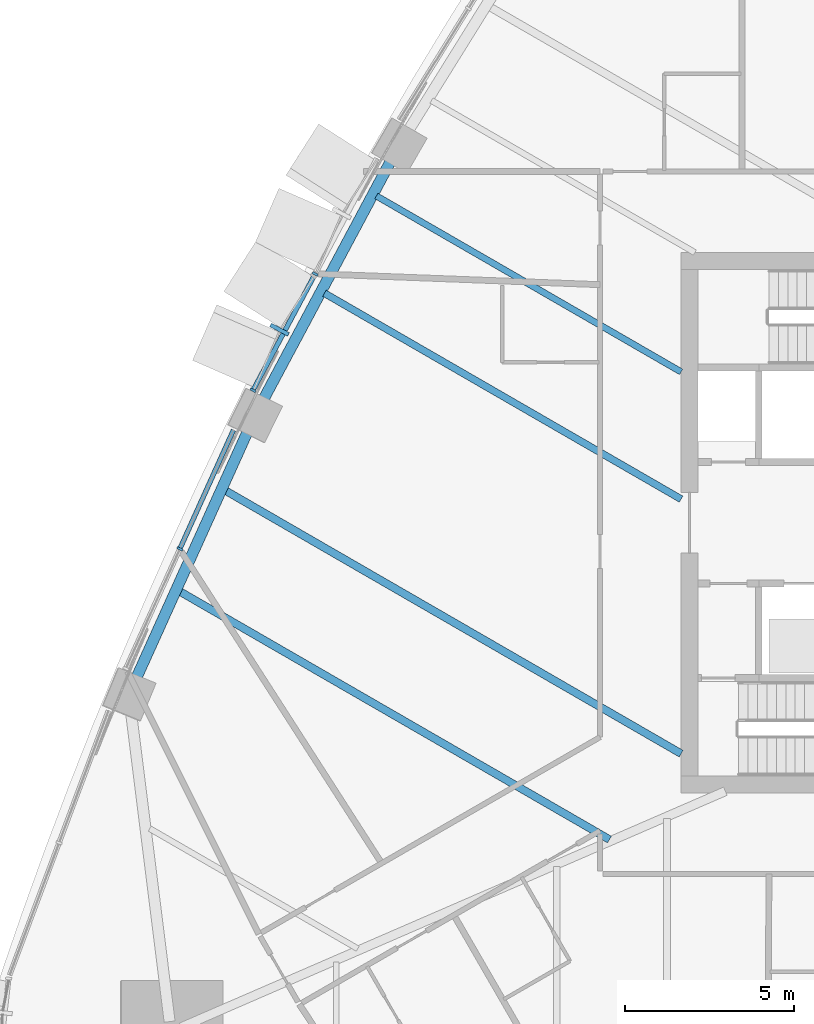
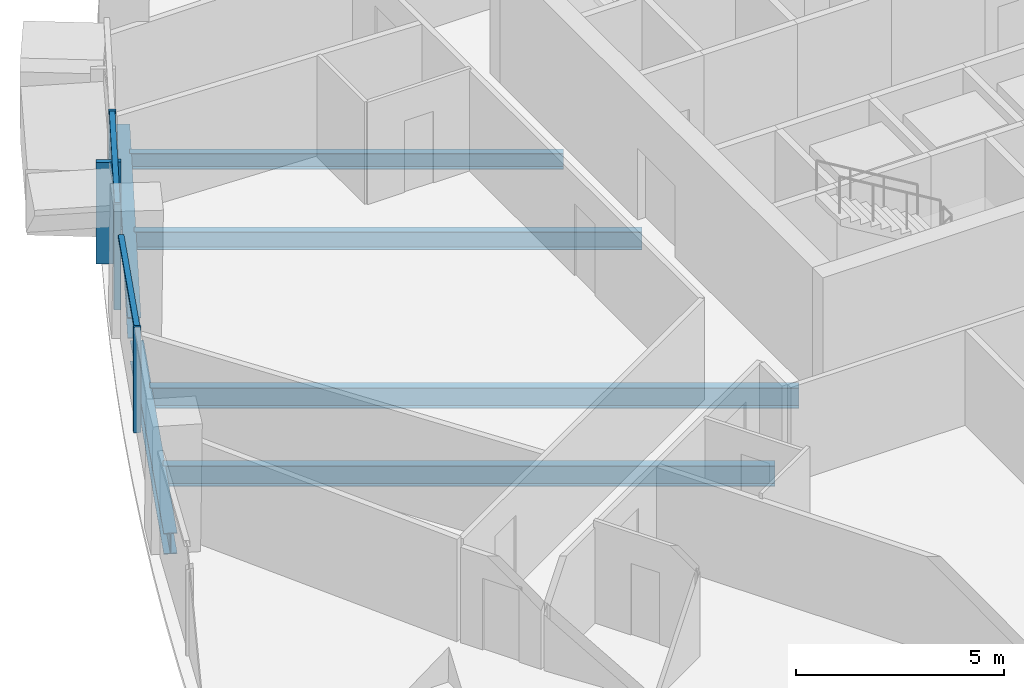
# One storey, part 3 of 18: 6 beams, 6 members, 2 elements without a shape of their own.
"""IFC4 building model written with IfcOpenShell, lengths in metres."""

from ifc_helpers import new_model, si_unit, direction, frame, origin, origin_2d, place, context, subcontext, project, spatial, rectangle, i_section, extrude, material, layer, layer_set, material_profile, profile_set, type_object, element, aggregate, save


model = new_model("IFC4")

# Units and contexts
model_context = context("Model", 3, precision=1e-05, world=origin(), true_north=direction((0.0, 1.0)))
body_context = subcontext(model_context, "Body", "Model", "MODEL_VIEW")
ifc_project = project(units=[si_unit("LENGTHUNIT", "METRE"), si_unit("AREAUNIT", "SQUARE_METRE"), si_unit("VOLUMEUNIT", "CUBIC_METRE"), si_unit("PLANEANGLEUNIT", "RADIAN"), si_unit("MASSUNIT", "GRAM", prefix="KILO")], contexts=[model_context])

# Site, building, storey
site_placement = place(None, origin())
site = spatial("IfcSite", under=ifc_project, at=site_placement, CompositionType="ELEMENT")
building_placement = place(site_placement, origin())
building = spatial("IfcBuilding", under=site, at=building_placement, Name="Sierra Prisma Convention Tower", CompositionType="ELEMENT")
storey_placement = place(building_placement, frame((0.0, 0.0, 85.0)))
storey = spatial("IfcBuildingStorey", under=building, at=storey_placement, Name="L17", CompositionType="ELEMENT", Elevation=85.0)

# Curtain wall, members
ifc_material_1 = material(Name="Aluminium and glass curtain wall", Category="aluminium")
ifc_layer_1 = layer(ifc_material_1, 0.179931640625)
ifc_layer_set_1 = layer_set([ifc_layer_1], Name="CW-2 Faceted crystal curtain wall")
curtain_wall_type_1 = type_object("IfcCurtainWallType", Name="CW-2 Faceted crystal curtain wall", PredefinedType="NOTDEFINED", material=ifc_layer_set_1)
curtain_wall_1_placement = place(storey_placement, origin())
curtain_wall_1 = element("IfcCurtainWall", 1, at=curtain_wall_1_placement, inside=storey, type_object=curtain_wall_type_1, Name="CW-2 NW4 L17", PredefinedType="NOTDEFINED")
ifc_material_2 = material(Name="Aluminium 6063-T6 bronze anodised", Category="aluminium")
ifc_material_profile_1 = material_profile(ifc_material_2, rectangle(XDim=0.1201171875, YDim=0.60009765625, at=origin_2d()), Name="ALU RIDGE BLADE 120x600")
ifc_profile_set_1 = profile_set([ifc_material_profile_1], Name="Aluminium 6063-T6 bronze anodised")
member_type_1 = type_object("IfcMemberType", Name="CW hip bronze", PredefinedType="MULLION", material=ifc_profile_set_1)
member_1_placement = place(storey_placement, frame((-22.8916015625, 5.715576171875, 0.0), z_axis=(0.0, 0.0, 1.0), x_axis=(-0.470993707752, -0.882136569505, 0.0)))
member_1 = element("IfcMember", 2, at=member_1_placement, type_object=member_type_1, Name="CW-2 ridge NW4.2", PredefinedType="MULLION", context=body_context, shape_type="SweptSolid", body=[
    extrude(rectangle(XDim=0.1201171875, YDim=0.60009765625, at=origin_2d()), origin(), (0.0, 0.0, 1.0), 2.97998046875),
])
ifc_material_3 = material(Name="Aluminium 6063-T6 bronze anodised", Category="aluminium")
ifc_material_profile_2 = material_profile(ifc_material_3, rectangle(XDim=0.179931640625, YDim=0.070068359375, at=origin_2d()), Name="ALU MULLION 70x180")
ifc_profile_set_2 = profile_set([ifc_material_profile_2], Name="Aluminium 6063-T6 bronze anodised")
member_type_2 = type_object("IfcMemberType", Name="CW mullion bronze", PredefinedType="MULLION", material=ifc_profile_set_2)
member_2_placement = place(storey_placement, frame((-21.838623046875, 7.367431640625, 0.0), z_axis=(0.0, 0.0, 1.0), x_axis=(0.882136569505, -0.470993707752, 0.0)))
member_2 = element("IfcMember", 3, at=member_2_placement, type_object=member_type_2, Name="CW-1 mullion NW4.2", PredefinedType="MULLION", context=body_context, shape_type="SweptSolid", body=[
    extrude(rectangle(XDim=0.179931640625, YDim=0.070068359375, at=origin_2d()), origin(), (0.0, 0.0, 1.0), 3.10009765625),
])
member_3_placement = place(storey_placement, frame((-23.678466796875, 3.92138671875, 0.0), z_axis=(0.0, 0.0, 1.0), x_axis=(0.882136569505, -0.470993707752, 0.0)))
member_3 = element("IfcMember", 4, at=member_3_placement, type_object=member_type_2, Name="CW-1 mullion NW4.3", PredefinedType="MULLION", context=body_context, shape_type="SweptSolid", body=[
    extrude(rectangle(XDim=0.179931640625, YDim=0.070068359375, at=origin_2d()), origin(), (0.0, 0.0, 1.0), 3.10009765625),
])

# Curtain wall, member
ifc_material_4 = material(Name="Aluminium and glass curtain wall", Category="aluminium")
ifc_layer_2 = layer(ifc_material_4, 0.179931640625)
ifc_layer_set_2 = layer_set([ifc_layer_2], Name="CW-1 Plain shaft curtain wall")
curtain_wall_type_2 = type_object("IfcCurtainWallType", Name="CW-1 Plain shaft curtain wall", PredefinedType="NOTDEFINED", material=ifc_layer_set_2)
curtain_wall_2_placement = place(storey_placement, origin())
curtain_wall_2 = element("IfcCurtainWall", 5, at=curtain_wall_2_placement, inside=storey, type_object=curtain_wall_type_2, Name="CW-1 NW5 L17", PredefinedType="NOTDEFINED")
member_4_placement = place(storey_placement, frame((-25.845458984375, -0.7744140625, 0.0), z_axis=(0.0, 0.0, 1.0), x_axis=(0.91142870865, -0.411458028296, 0.0)))
member_4 = element("IfcMember", 6, at=member_4_placement, type_object=member_type_2, Name="CW-1 mullion NW5.2", PredefinedType="MULLION", context=body_context, shape_type="SweptSolid", body=[
    extrude(rectangle(XDim=0.179931640625, YDim=0.070068359375, at=origin_2d()), origin(), (0.0, 0.0, 1.0), 3.10009765625),
])

# Member
ifc_material_5 = material(Name="Aluminium 6063-T6 bronze anodised", Category="aluminium")
ifc_material_profile_3 = material_profile(ifc_material_5, rectangle(XDim=0.139892578125, YDim=0.1201171875, at=origin_2d()), Name="ALU TRANSOM 120x140")
ifc_profile_set_3 = profile_set([ifc_material_profile_3], Name="Aluminium 6063-T6 bronze anodised")
member_type_3 = type_object("IfcMemberType", Name="CW transom bronze", PredefinedType="USERDEFINED", material=ifc_profile_set_3)
member_5_placement = place(storey_placement, frame((-21.85498046875, 7.33642578125, 3.0400390625), z_axis=(-0.471057204972, -0.882102663891, 0.0), x_axis=(0.882102663891, -0.471057204972, 0.0)))
member_5 = element("IfcMember", 7, at=member_5_placement, type_object=member_type_3, Name="CW-1 transom NW4.2", ObjectType="TRANSOM", PredefinedType="USERDEFINED", context=body_context, shape_type="SweptSolid", body=[
    extrude(rectangle(XDim=0.139892578125, YDim=0.1201171875, at=origin_2d()), origin(), (0.0, 0.0, 1.0), 3.83642578125),
])

aggregate(curtain_wall_1, [member_2, member_3, member_5, member_1])

member_6_placement = place(storey_placement, frame((-24.25927734375, 2.7392578125, 3.0400390625), z_axis=(-0.411432610885, -0.911440182733, 0.0), x_axis=(0.911440182733, -0.411432610885, 0.0)))
member_6 = element("IfcMember", 8, at=member_6_placement, type_object=member_type_3, Name="CW-1 transom NW5.1", ObjectType="TRANSOM", PredefinedType="USERDEFINED", context=body_context, shape_type="SweptSolid", body=[
    extrude(rectangle(XDim=0.139892578125, YDim=0.1201171875, at=origin_2d()), origin(), (0.0, 0.0, 1.0), 3.8203125),
])

aggregate(curtain_wall_2, [member_4, member_6])

# Beams
ifc_material_6 = material(Name="Steel ASTM A992 Gr 50", Category="steel")
ifc_material_profile_4 = material_profile(ifc_material_6, i_section(OverallWidth=0.18994140625, OverallDepth=0.45703125, WebThickness=0.009033203125, FlangeThickness=0.014404296875, at=origin_2d()), Name="W460x74")
ifc_profile_set_4 = profile_set([ifc_material_profile_4], Name="Steel ASTM A992 Gr 50")
beam_type_1 = type_object("IfcBeamType", Name="Floor joist W460x74", PredefinedType="JOIST", material=ifc_profile_set_4)
beam_1_placement = place(storey_placement, frame((-20.024658203125, 9.677001953125, -0.37841796875), z_axis=(0.866022894995, -0.500004345326, 0.0), x_axis=(0.500004345326, 0.866022894995, 0.0)))
element("IfcBeam", 9, at=beam_1_placement, inside=storey, type_object=beam_type_1, Name="Floor joist L17 NW09", PredefinedType="JOIST", context=body_context, shape_type="SweptSolid", body=[
    extrude(i_section(OverallWidth=0.18994140625, OverallDepth=0.45703125, WebThickness=0.009033203125, FlangeThickness=0.014404296875, at=origin_2d()), origin(), (0.0, 0.0, 1.0), 10.4208984375),
])
ifc_material_7 = material(Name="Steel ASTM A992 Gr 50", Category="steel")
ifc_material_profile_5 = material_profile(ifc_material_7, i_section(OverallWidth=0.208984375, OverallDepth=0.532958984375, WebThickness=0.01025390625, FlangeThickness=0.015625, at=origin_2d()), Name="W530x92")
ifc_profile_set_5 = profile_set([ifc_material_profile_5], Name="Steel ASTM A992 Gr 50")
beam_type_2 = type_object("IfcBeamType", Name="Floor joist W530x92", PredefinedType="JOIST", material=ifc_profile_set_5)
beam_2_placement = place(storey_placement, frame((-21.562744140625, 6.796142578125, -0.41650390625), z_axis=(0.866025918604, -0.499999108305, 0.0), x_axis=(0.499999108305, 0.866025918604, 0.0)))
element("IfcBeam", 10, at=beam_2_placement, inside=storey, type_object=beam_type_2, Name="Floor joist L17 NW10", PredefinedType="JOIST", context=body_context, shape_type="SweptSolid", body=[
    extrude(i_section(OverallWidth=0.208984375, OverallDepth=0.532958984375, WebThickness=0.01025390625, FlangeThickness=0.015625, at=origin_2d()), origin(), (0.0, 0.0, 1.0), 12.19677734375),
])
ifc_material_8 = material(Name="Steel ASTM A992 Gr 50", Category="steel")
ifc_material_profile_6 = material_profile(ifc_material_8, i_section(OverallWidth=0.22802734375, OverallDepth=0.60302734375, WebThickness=0.010498046875, FlangeThickness=0.014892578125, at=origin_2d()), Name="W610x101")
ifc_profile_set_6 = profile_set([ifc_material_profile_6], Name="Steel ASTM A992 Gr 50")
beam_type_3 = type_object("IfcBeamType", Name="Floor joist W610x101", PredefinedType="JOIST", material=ifc_profile_set_6)
beam_3_placement = place(storey_placement, frame((-24.502197265625, 0.95556640625, -0.451416015625), z_axis=(0.866027821991, -0.499995811521, 0.0), x_axis=(0.499995811521, 0.866027821991, 0.0)))
element("IfcBeam", 11, at=beam_3_placement, inside=storey, type_object=beam_type_3, Name="Floor joist L17 NW12", PredefinedType="JOIST", context=body_context, shape_type="SweptSolid", body=[
    extrude(i_section(OverallWidth=0.22802734375, OverallDepth=0.60302734375, WebThickness=0.010498046875, FlangeThickness=0.014892578125, at=origin_2d()), origin(), (0.0, 0.0, 1.0), 15.591064453125),
])
beam_4_placement = place(storey_placement, frame((-25.851806640625, -2.033935546875, -0.451416015625), z_axis=(0.866025713304, -0.499999463897, 0.0), x_axis=(0.499999463897, 0.866025713304, 0.0)))
element("IfcBeam", 12, at=beam_4_placement, inside=storey, type_object=beam_type_3, Name="Floor joist L17 NW13", PredefinedType="JOIST", context=body_context, shape_type="SweptSolid", body=[
    extrude(i_section(OverallWidth=0.22802734375, OverallDepth=0.60302734375, WebThickness=0.010498046875, FlangeThickness=0.014892578125, at=origin_2d()), origin(), (0.0, 0.0, 1.0), 14.69873046875),
])
ifc_material_9 = material(Name="Steel ASTM A992 Gr 50", Category="steel")
ifc_material_profile_7 = material_profile(ifc_material_9, i_section(OverallWidth=0.324951171875, OverallDepth=0.615966796875, WebThickness=0.013916015625, FlangeThickness=0.021484375, at=origin_2d()), Name="W610x174")
ifc_profile_set_7 = profile_set([ifc_material_profile_7], Name="Steel ASTM A992 Gr 50")
beam_type_4 = type_object("IfcBeamType", Name="Spandrel beam W610x174", PredefinedType="BEAM", material=ifc_profile_set_7)
beam_5_placement = place(storey_placement, frame((-19.579345703125, 10.75, -0.4580078125), z_axis=(-0.47098355434, -0.882141990578, 0.0), x_axis=(0.882141990578, -0.47098355434, 0.0)))
element("IfcBeam", 13, at=beam_5_placement, inside=storey, type_object=beam_type_4, Name="Spandrel L17-16", PredefinedType="BEAM", context=body_context, shape_type="SweptSolid", body=[
    extrude(i_section(OverallWidth=0.324951171875, OverallDepth=0.615966796875, WebThickness=0.013916015625, FlangeThickness=0.021484375, at=origin_2d()), origin(), (0.0, 0.0, 1.0), 8.108642578125),
])
beam_6_placement = place(storey_placement, frame((-23.822265625, 2.735595703125, -0.4580078125), z_axis=(-0.411456033308, -0.91142960927, 0.0), x_axis=(0.91142960927, -0.411456033308, 0.0)))
element("IfcBeam", 14, at=beam_6_placement, inside=storey, type_object=beam_type_4, Name="Spandrel L17-17", PredefinedType="BEAM", context=body_context, shape_type="SweptSolid", body=[
    extrude(i_section(OverallWidth=0.324951171875, OverallDepth=0.615966796875, WebThickness=0.013916015625, FlangeThickness=0.021484375, at=origin_2d()), origin(), (0.0, 0.0, 1.0), 8.10888671875),
])

save(model, "model.ifc")
